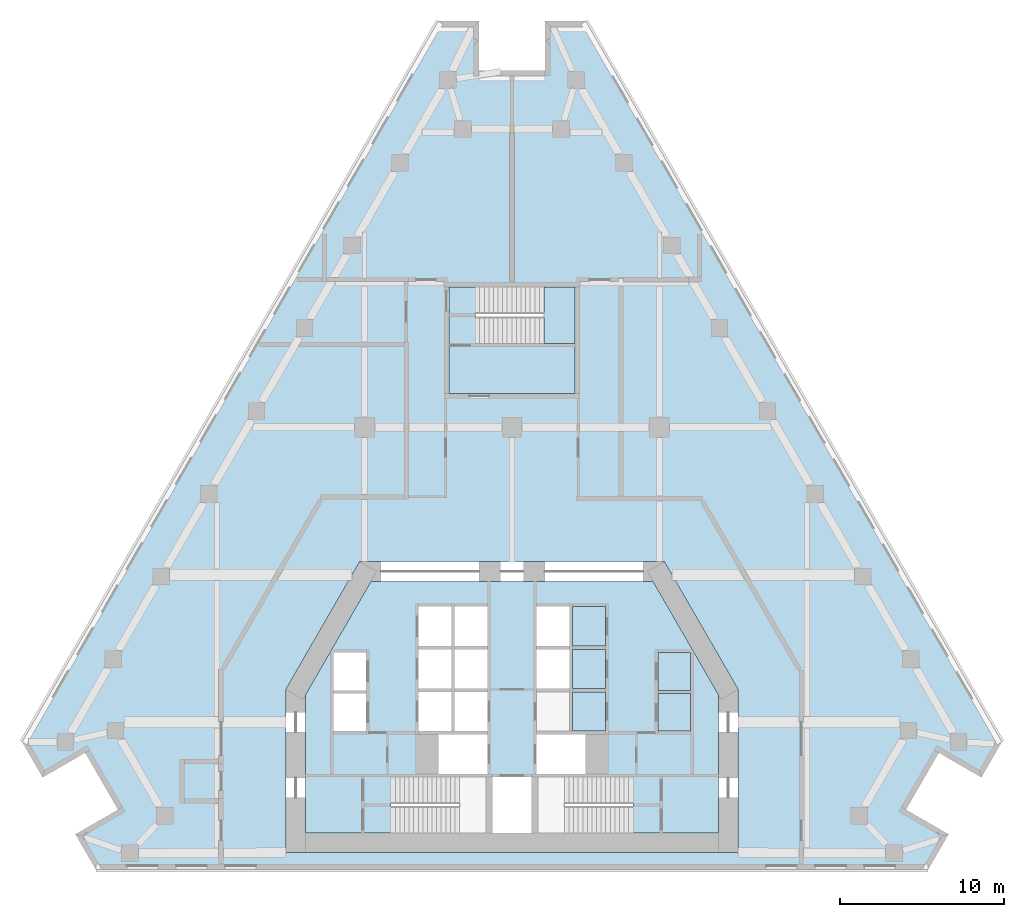
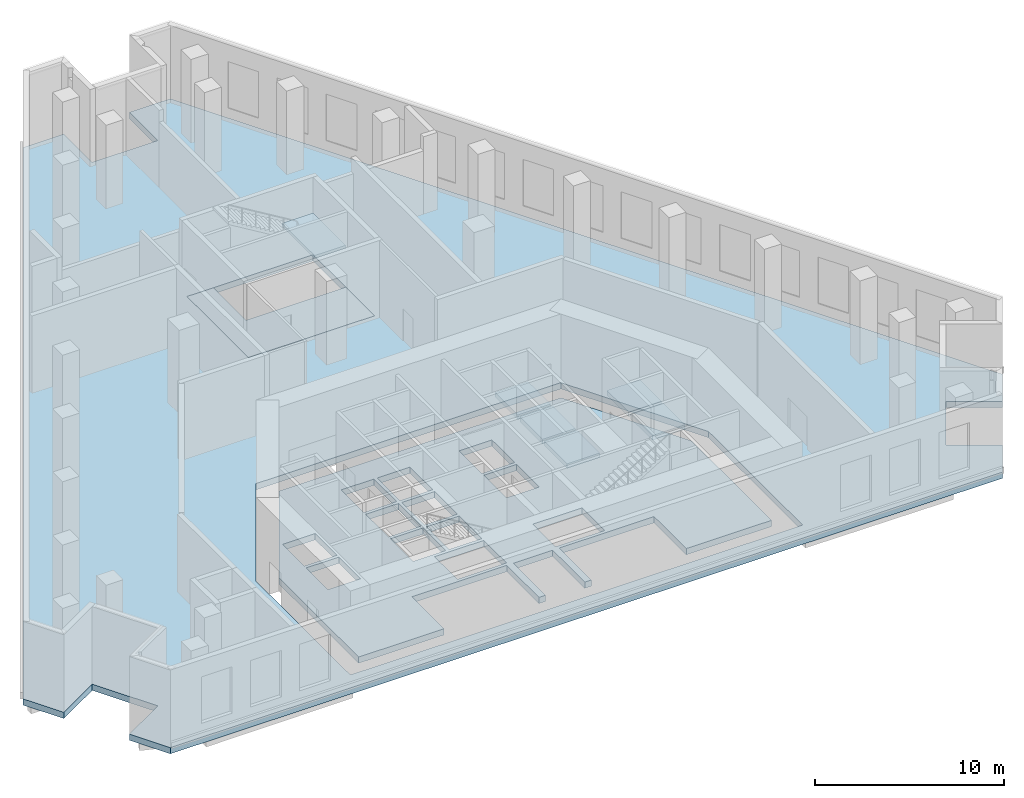
# One storey, part 2 of 10: 9 slabs, 1 element without a shape of its own.
"""IFC4 building model written with IfcOpenShell, lengths in metres."""

from ifc_helpers import new_model, si_unit, direction, frame, origin, place, context, subcontext, project, spatial, polyline, outline, extrude, material, layer, layer_set, type_object, element, aggregate, save


model = new_model("IFC4")

# Units and contexts
model_context = context("Model", 3, precision=1e-05, world=origin(), true_north=direction((0.0, 1.0)))
body_context = subcontext(model_context, "Body", "Model", "MODEL_VIEW")
ifc_project = project(units=[si_unit("LENGTHUNIT", "METRE"), si_unit("AREAUNIT", "SQUARE_METRE"), si_unit("VOLUMEUNIT", "CUBIC_METRE"), si_unit("PLANEANGLEUNIT", "RADIAN"), si_unit("MASSUNIT", "GRAM", prefix="KILO")], contexts=[model_context])

# Site, building, storey
site_placement = place(None, origin())
site = spatial("IfcSite", under=ifc_project, at=site_placement, CompositionType="ELEMENT")
building_placement = place(site_placement, origin())
building = spatial("IfcBuilding", under=site, at=building_placement, Name="Fogline Exchange Tower", CompositionType="ELEMENT")
storey_placement = place(building_placement, frame((0.0, 0.0, 132.10009765625)))
storey = spatial("IfcBuildingStorey", under=building, at=storey_placement, Name="L29", CompositionType="ELEMENT", Elevation=132.10009765625)

# Slabs
ifc_material = material(Name="Concrete C40", Category="concrete")
ifc_layer_1 = layer(ifc_material, 0.300048828125)
ifc_layer_set_1 = layer_set([ifc_layer_1], Name="PS300")
slab_type_1 = type_object("IfcSlabType", Name="PS300", PredefinedType="BASESLAB", material=ifc_layer_set_1)
slab_1_placement = place(storey_placement, frame((0.0, 0.0, 2.699951171875)))
element("IfcSlab", 1, at=slab_1_placement, inside=storey, type_object=slab_type_1, Name="Lift pit slab HR1", PredefinedType="BASESLAB", context=body_context, shape_type="SweptSolid", body=[
    extrude(outline(polyline([(8.89990234375, 8.449951171875), (10.89990234375, 8.449951171875), (10.89990234375, 10.75), (8.89990234375, 10.75), (8.89990234375, 8.449951171875)])), origin(), (0.0, 0.0, 1.0), 0.300048828125),
])
slab_2_placement = place(storey_placement, frame((0.0, 0.0, 2.699951171875)))
element("IfcSlab", 2, at=slab_2_placement, inside=storey, type_object=slab_type_1, Name="Lift pit slab HR2", PredefinedType="BASESLAB", context=body_context, shape_type="SweptSolid", body=[
    extrude(outline(polyline([(8.89990234375, 10.949951171875), (10.89990234375, 10.949951171875), (10.89990234375, 13.25), (8.89990234375, 13.25), (8.89990234375, 10.949951171875)])), origin(), (0.0, 0.0, 1.0), 0.300048828125),
])
slab_3_placement = place(storey_placement, frame((0.0, 0.0, 2.699951171875)))
element("IfcSlab", 3, at=slab_3_placement, inside=storey, type_object=slab_type_1, Name="Lift pit slab MR1", PredefinedType="BASESLAB", context=body_context, shape_type="SweptSolid", body=[
    extrude(outline(polyline([(3.699951171875, 8.449951171875), (5.699951171875, 8.449951171875), (5.699951171875, 10.85009765625), (3.699951171875, 10.85009765625), (3.699951171875, 8.449951171875)])), origin(), (0.0, 0.0, 1.0), 0.300048828125),
])
slab_4_placement = place(storey_placement, frame((0.0, 0.0, 2.699951171875)))
element("IfcSlab", 4, at=slab_4_placement, inside=storey, type_object=slab_type_1, Name="Lift pit slab MR2", PredefinedType="BASESLAB", context=body_context, shape_type="SweptSolid", body=[
    extrude(outline(polyline([(3.699951171875, 11.050048828125), (5.699951171875, 11.050048828125), (5.699951171875, 13.449951171875), (3.699951171875, 13.449951171875), (3.699951171875, 11.050048828125)])), origin(), (0.0, 0.0, 1.0), 0.300048828125),
])
slab_5_placement = place(storey_placement, frame((0.0, 0.0, 2.699951171875)))
element("IfcSlab", 5, at=slab_5_placement, inside=storey, type_object=slab_type_1, Name="Lift pit slab MR3", PredefinedType="BASESLAB", context=body_context, shape_type="SweptSolid", body=[
    extrude(outline(polyline([(3.699951171875, 13.64990234375), (5.699951171875, 13.64990234375), (5.699951171875, 16.050048828125), (3.699951171875, 16.050048828125), (3.699951171875, 13.64990234375)])), origin(), (0.0, 0.0, 1.0), 0.300048828125),
])
ifc_layer_2 = layer(ifc_material, 0.39990234375)
ifc_layer_set_2 = layer_set([ifc_layer_2], Name="S03")
slab_type_2 = type_object("IfcSlabType", Name="S03", PredefinedType="FLOOR", material=ifc_layer_set_2)
slab_6_placement = place(storey_placement, frame((0.0, 0.0, -0.400146484375)))
element("IfcSlab", 6, at=slab_6_placement, inside=storey, type_object=slab_type_2, Name="SLAB L29", PredefinedType="FLOOR", context=body_context, shape_type="SweptSolid", body=[
    extrude(outline(polyline([(-2.0, 51.776611328125), (-4.5, 51.776611328125), (-29.893310546875, 7.794189453125), (-28.643310546875, 5.629150390625), (-26.045166015625, 7.129150390625), (-24.045166015625, 3.6650390625), (-26.643310546875, 2.1650390625), (-25.393310546875, 0.0), (25.393310546875, 0.0), (26.643310546875, 2.1650390625), (24.045166015625, 3.6650390625), (26.045166015625, 7.129150390625), (28.643310546875, 5.629150390625), (29.893310546875, 7.794189453125), (4.5, 51.776611328125), (2.0, 51.776611328125), (2.0, 48.776611328125), (-2.0, 48.776611328125), (-2.0, 51.776611328125)]), holes=[polyline([(13.800048828125, 10.9990234375), (13.800048828125, 1.050048828125), (-13.800048828125, 1.050048828125), (-13.800048828125, 10.9990234375), (-9.296142578125, 18.800048828125), (9.296142578125, 18.800048828125), (13.800048828125, 10.9990234375)]), polyline([(3.85009765625, 35.556884765625), (3.85009765625, 29.056884765625), (-3.85009765625, 29.056884765625), (-3.85009765625, 35.556884765625), (3.85009765625, 35.556884765625)])]), origin(), (0.0, 0.0, 1.0), 0.400146484375),
])
slab_7_placement = place(storey_placement, frame((0.0, 0.0, -0.400146484375)))
element("IfcSlab", 7, at=slab_7_placement, inside=storey, type_object=slab_type_2, Name="Core floor slab", PredefinedType="FLOOR", context=body_context, shape_type="SweptSolid", body=[
    extrude(outline(polyline([(-12.60009765625, 2.25), (-12.60009765625, 10.677490234375), (-8.603271484375, 17.60009765625), (8.603271484375, 17.60009765625), (12.60009765625, 10.677490234375), (12.60009765625, 2.25), (7.389892578125, 2.25), (7.389892578125, 5.64990234375), (1.60009765625, 5.64990234375), (1.60009765625, 2.25), (1.199951171875, 2.25), (1.199951171875, 5.64990234375), (-1.199951171875, 5.64990234375), (-1.199951171875, 2.25), (-1.60009765625, 2.25), (-1.60009765625, 5.64990234375), (-7.389892578125, 5.64990234375), (-7.389892578125, 2.25), (-12.60009765625, 2.25)]), holes=[polyline([(-1.5, 8.25), (-4.5, 8.25), (-4.5, 5.85009765625), (-1.5, 5.85009765625), (-1.5, 8.25)]), polyline([(-8.89990234375, 10.75), (-10.89990234375, 10.75), (-10.89990234375, 8.449951171875), (-8.89990234375, 8.449951171875), (-8.89990234375, 10.75)]), polyline([(-3.699951171875, 10.85009765625), (-5.699951171875, 10.85009765625), (-5.699951171875, 8.449951171875), (-3.699951171875, 8.449951171875), (-3.699951171875, 10.85009765625)]), polyline([(-1.5, 10.85009765625), (-3.5, 10.85009765625), (-3.5, 8.449951171875), (-1.5, 8.449951171875), (-1.5, 10.85009765625)]), polyline([(-8.89990234375, 13.25), (-10.89990234375, 13.25), (-10.89990234375, 10.949951171875), (-8.89990234375, 10.949951171875), (-8.89990234375, 13.25)]), polyline([(-3.699951171875, 13.449951171875), (-5.699951171875, 13.449951171875), (-5.699951171875, 11.050048828125), (-3.699951171875, 11.050048828125), (-3.699951171875, 13.449951171875)]), polyline([(-3.699951171875, 16.050048828125), (-5.699951171875, 16.050048828125), (-5.699951171875, 13.64990234375), (-3.699951171875, 13.64990234375), (-3.699951171875, 16.050048828125)]), polyline([(4.5, 8.25), (1.5, 8.25), (1.5, 5.85009765625), (4.5, 5.85009765625), (4.5, 8.25)]), polyline([(-1.5, 13.449951171875), (-3.5, 13.449951171875), (-3.5, 11.050048828125), (-1.5, 11.050048828125), (-1.5, 13.449951171875)]), polyline([(3.5, 13.449951171875), (1.5, 13.449951171875), (1.5, 11.050048828125), (3.5, 11.050048828125), (3.5, 13.449951171875)]), polyline([(-1.5, 16.050048828125), (-3.5, 16.050048828125), (-3.5, 13.64990234375), (-1.5, 13.64990234375), (-1.5, 16.050048828125)]), polyline([(3.5, 16.050048828125), (1.5, 16.050048828125), (1.5, 13.64990234375), (3.5, 13.64990234375), (3.5, 16.050048828125)])]), origin(), (0.0, 0.0, 1.0), 0.400146484375),
])
slab_8_placement = place(storey_placement, frame((0.0, 0.0, -0.400146484375)))
element("IfcSlab", 8, at=slab_8_placement, inside=storey, type_object=slab_type_2, Name="Stair enclosure floor slab", PredefinedType="FLOOR", context=body_context, shape_type="SweptSolid", body=[
    extrude(outline(polyline([(3.85009765625, 29.056884765625), (-3.85009765625, 29.056884765625), (-3.85009765625, 35.556884765625), (-2.239990234375, 35.556884765625), (-2.239990234375, 32.10693359375), (3.85009765625, 32.10693359375), (3.85009765625, 29.056884765625)])), origin(), (0.0, 0.0, 1.0), 0.400146484375),
])

# Stair, slab
stair_type = type_object("IfcStairType", Name="STR32-1688", PredefinedType="HALF_TURN_STAIR", material=ifc_material)
stair_placement = place(storey_placement, origin())
stair = element("IfcStair", 9, at=stair_placement, inside=storey, type_object=stair_type, Name="Stair ST3", PredefinedType="HALF_TURN_STAIR")
ifc_layer_3 = layer(ifc_material, 0.199951171875)
ifc_layer_set_3 = layer_set([ifc_layer_3], Name="SL200")
slab_type_3 = type_object("IfcSlabType", Name="SL200", PredefinedType="LANDING", material=ifc_layer_set_3)
slab_9_placement = place(storey_placement, frame((0.0, 0.0, 2.5)))
slab_9 = element("IfcSlab", 10, at=slab_9_placement, type_object=slab_type_3, Name="ST3 landing 1", PredefinedType="LANDING", context=body_context, shape_type="SweptSolid", body=[
    extrude(outline(polyline([(1.949951171875, 32.10693359375), (3.85009765625, 32.10693359375), (3.85009765625, 35.556884765625), (1.949951171875, 35.556884765625), (1.949951171875, 32.10693359375)])), origin(), (0.0, 0.0, 1.0), 0.199951171875),
])
aggregate(stair, [slab_9])

save(model, "model.ifc")
